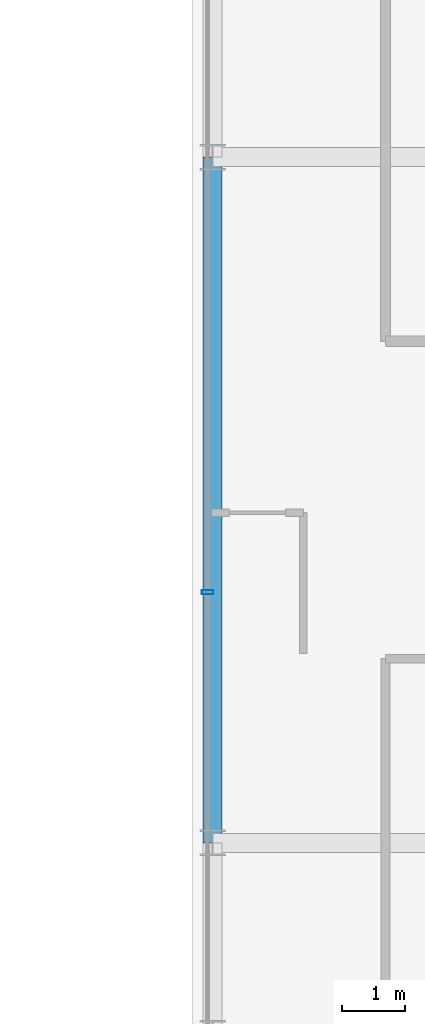
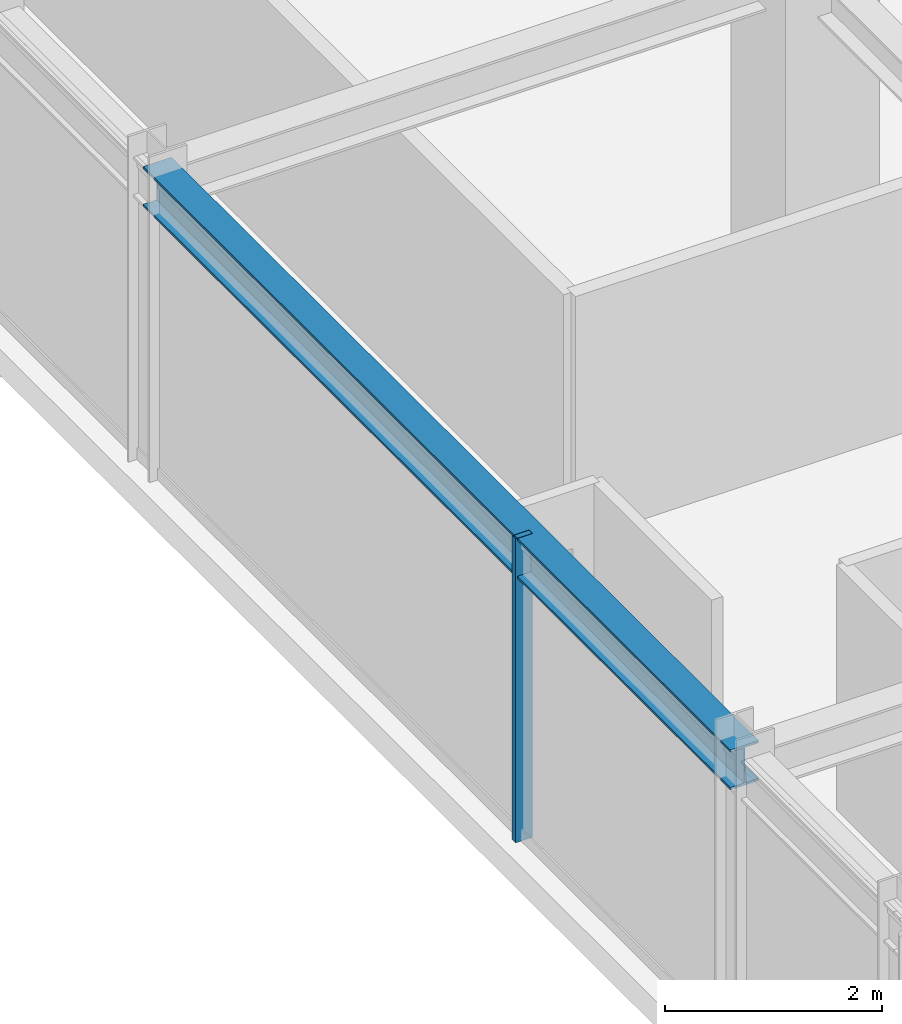
# One storey, part 10 of 36: 1 beam, 1 member, 1 element without a shape of its own.
"""IFC4 building model written with IfcOpenShell, lengths in metres."""

from ifc_helpers import new_model, si_unit, direction, frame, origin, origin_2d, place, context, subcontext, project, spatial, hollow_rectangle, i_section, extrude, source, transform, mapped, material, material_profile, profile_set, type_object, element, aggregate, save


model = new_model("IFC4")

# Units and contexts
model_context = context("Model", 3, precision=1e-05, world=origin(), true_north=direction((0.0, 1.0)))
body_context = subcontext(model_context, "Body", "Model", "MODEL_VIEW")
ifc_project = project(units=[si_unit("LENGTHUNIT", "METRE"), si_unit("AREAUNIT", "SQUARE_METRE"), si_unit("VOLUMEUNIT", "CUBIC_METRE"), si_unit("PLANEANGLEUNIT", "RADIAN"), si_unit("MASSUNIT", "GRAM", prefix="KILO")], contexts=[model_context])

# Site, building, storey
site_placement = place(None, origin())
site = spatial("IfcSite", under=ifc_project, at=site_placement, CompositionType="ELEMENT")
building_placement = place(site_placement, origin())
building = spatial("IfcBuilding", under=site, at=building_placement, Name="Nahalor Promenade Grand Hotel", CompositionType="ELEMENT")
storey_placement = place(building_placement, frame((0.0, 0.0, 241.89990234375)))
storey = spatial("IfcBuildingStorey", under=building, at=storey_placement, Name="L62", CompositionType="ELEMENT", Elevation=241.89990234375)

# Beam
ifc_material_1 = material(Name="Steel S355JR", Category="steel")
ifc_material_profile_1 = material_profile(ifc_material_1, i_section(OverallWidth=0.3, OverallDepth=0.45, WebThickness=0.014, FlangeThickness=0.026, at=origin_2d()), Name="HEB 450")
ifc_profile_set_1 = profile_set([ifc_material_profile_1], Name="Steel S355JR")
beam_type = type_object("IfcBeamType", Name="Beam-Spandrel-HEB450", PredefinedType="SPANDREL", material=ifc_profile_set_1)
shared_shape_1 = source(origin(), body_context, "Body", "SweptSolid", [
    extrude(i_section(OverallWidth=0.3, OverallDepth=0.45, WebThickness=0.014, FlangeThickness=0.026, at=origin_2d()), origin(), (0.0, 0.0, 1.0), 10.7998046875),
])
beam_placement = place(storey_placement, frame((-23.8798828125, -5.39990234375, 3.18505859375), z_axis=(0.0, 1.0, 0.0), x_axis=(-1.0, 0.0, 0.0)))
element("IfcBeam", 1, at=beam_placement, inside=storey, type_object=beam_type, Name="BM-L62-SP-W-2", PredefinedType="SPANDREL", context=body_context, shape_type="MappedRepresentation", body=[
    mapped(shared_shape_1, transform((0.0, 0.0, 0.0), scale=1.0)),
])

# Curtain wall, member
ifc_material_2 = material(Name="Anodised Bronze Aluminium EN AW-6063 T6", Category="aluminium")
curtain_wall_type = type_object("IfcCurtainWallType", Name="CW2 Typical Hotel Flush Bronze Unitised Curtain Wall", PredefinedType="USERDEFINED", material=ifc_material_2)
curtain_wall_placement = place(storey_placement, origin())
curtain_wall = element("IfcCurtainWall", 2, at=curtain_wall_placement, inside=storey, type_object=curtain_wall_type, Name="L62 Curtain Wall CW-L62-W-1", ObjectType="UNITISED_CURTAIN_WALL", PredefinedType="USERDEFINED")
ifc_material_profile_2 = material_profile(ifc_material_2, hollow_rectangle(XDim=0.065, YDim=0.18, WallThickness=0.004, at=origin_2d()), Name="CWM 65x180x4")
ifc_profile_set_2 = profile_set([ifc_material_profile_2], Name="Anodised Bronze Aluminium EN AW-6063 T6")
member_type = type_object("IfcMemberType", Name="CWM2 Typical Bronze Mullion 65x180", PredefinedType="MULLION", material=ifc_profile_set_2)
shared_shape_2 = source(origin(), body_context, "Body", "SweptSolid", [
    extrude(hollow_rectangle(XDim=0.065, YDim=0.18, WallThickness=0.004, at=origin_2d()), origin(), (0.0, 0.0, 1.0), 3.41015625),
])
member_placement = place(storey_placement, frame((-23.9599609375, -1.453369140625, 0.0), z_axis=(0.0, 0.0, 1.0), x_axis=(0.0, 1.0, 0.0)))
member = element("IfcMember", 3, at=member_placement, type_object=member_type, Name="CW-L62-W-1 Mullion 2", PredefinedType="MULLION", context=body_context, shape_type="MappedRepresentation", body=[
    mapped(shared_shape_2, transform((0.0, 0.0, 0.0), scale=1.0)),
])
aggregate(curtain_wall, [member])

save(model, "model.ifc")
